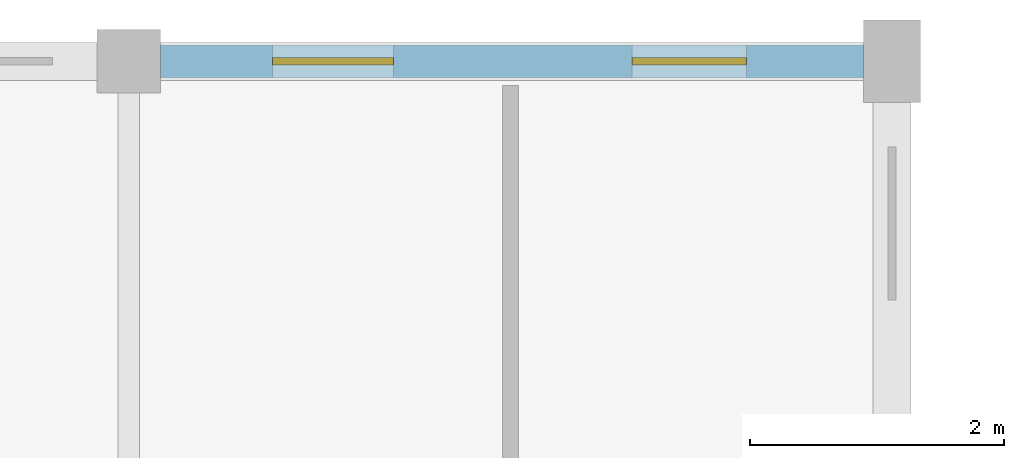
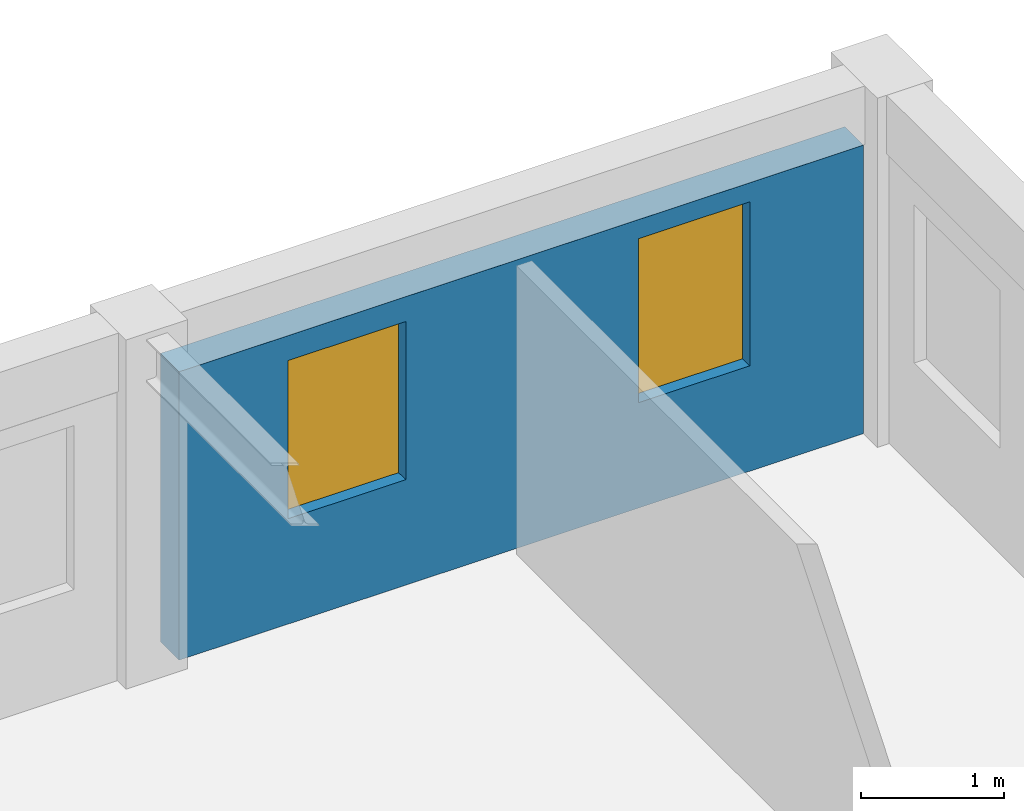
# One storey, part 16 of 23: 2 windows, 1 wall, 2 openings.
"""IFC4 building model written with IfcOpenShell, lengths in metres."""

from ifc_helpers import new_model, si_unit, direction, frame, frame_2d, origin, place, context, subcontext, project, spatial, rectangle, extrude, material, layer, layer_set, type_object, element, fill, save


model = new_model("IFC4")

# Units and contexts
model_context = context("Model", 3, precision=1e-05, world=origin(), true_north=direction((0.0, 1.0)))
body_context = subcontext(model_context, "Body", "Model", "MODEL_VIEW")
ifc_project = project(units=[si_unit("LENGTHUNIT", "METRE"), si_unit("AREAUNIT", "SQUARE_METRE"), si_unit("VOLUMEUNIT", "CUBIC_METRE"), si_unit("PLANEANGLEUNIT", "RADIAN"), si_unit("MASSUNIT", "GRAM", prefix="KILO"), si_unit("POWERUNIT", "WATT"), si_unit("THERMODYNAMICTEMPERATUREUNIT", "KELVIN")], contexts=[model_context])

# Site, building, storey
site_placement = place(None, origin())
site = spatial("IfcSite", under=ifc_project, at=site_placement, CompositionType="ELEMENT")
building_placement = place(site_placement, origin())
building = spatial("IfcBuilding", under=site, at=building_placement, Name="Ruvembo Vaulted Housing Court", CompositionType="ELEMENT")
storey_placement = place(building_placement, frame((0.0, 0.0, 26.89990234375)))
storey = spatial("IfcBuildingStorey", under=building, at=storey_placement, Name="L08", CompositionType="ELEMENT", Elevation=26.89990234375)

# Wall, openings, windows
ifc_material_1 = material(Name="Rendered Masonry 260", Category="masonry")
ifc_layer = layer(ifc_material_1, 0.260009765625, Name="Rendered Masonry 260")
ifc_layer_set = layer_set([ifc_layer], Name="Rendered Masonry 260")
wall_type = type_object("IfcWallType", Name="WL-EXT-260", PredefinedType="STANDARD", material=ifc_layer_set)
wall_placement = place(storey_placement, frame((77.77490234375, 114.0, 0.0), z_axis=(0.0, 0.0, 1.0), x_axis=(-1.0, 0.0, 0.0)))
wall = element("IfcWall", 1, at=wall_placement, inside=storey, type_object=wall_type, Name="Block B L08 Exterior Wall STREET #1", PredefinedType="STANDARD", context=body_context, shape_type="SweptSolid", body=[
    extrude(rectangle(XDim=5.52490234375, YDim=0.260009765625, at=frame_2d((2.762451171875, 0.0))), origin(), (0.0, 0.0, 1.0), 2.462158203125),
])
opening_1_placement = place(wall_placement, frame((0.91748046875, 0.0, 0.89990234375)))
opening_1 = element("IfcOpeningElement", 2, at=opening_1_placement, cuts=wall, Name="Opening W05", PredefinedType="OPENING", context=body_context, shape_type="SweptSolid", body=[
    extrude(rectangle(XDim=0.89990234375, YDim=1.39990234375, at=frame_2d((0.449951171875, 0.699951171875))), frame((0.0, 0.139892578125, 0.0), z_axis=(0.0, -1.0, 0.0), x_axis=(1.0, 0.0, 0.0)), (0.0, 0.0, 1.0), 0.280029296875),
])
opening_2_placement = place(wall_placement, frame((3.695068359375, 0.0, 0.89990234375)))
opening_2 = element("IfcOpeningElement", 3, at=opening_2_placement, cuts=wall, Name="Opening W07", PredefinedType="OPENING", context=body_context, shape_type="SweptSolid", body=[
    extrude(rectangle(XDim=0.949951171875, YDim=1.35009765625, at=frame_2d((0.47509765625, 0.675048828125))), frame((0.0, 0.139892578125, 0.0), z_axis=(0.0, -1.0, 0.0), x_axis=(1.0, 0.0, 0.0)), (0.0, 0.0, 1.0), 0.280029296875),
])
ifc_material_2 = material(Name="Double Solar-Control Glazing in Aluminium Frame", Category="aluminium")
window_type_1 = type_object("IfcWindowType", Name="WIN-0900x1400", PartitioningType="SINGLE_PANEL", PredefinedType="WINDOW", material=ifc_material_2)
window_1_placement = place(opening_1_placement, origin())
window_1 = element("IfcWindow", 4, at=window_1_placement, inside=storey, type_object=window_type_1, Name="Block B L08 Window #966", OverallHeight=1.39990234375, OverallWidth=0.89990234375, PartitioningType="SINGLE_PANEL", PredefinedType="WINDOW", context=body_context, shape_type="SweptSolid", body=[
    extrude(rectangle(XDim=0.89990234375, YDim=1.39990234375, at=frame_2d((0.449951171875, 0.699951171875))), frame((0.0, 0.030029296875, 0.0), z_axis=(0.0, -1.0, 0.0), x_axis=(1.0, 0.0, 0.0)), (0.0, 0.0, 1.0), 0.06005859375),
])
fill(opening_1, window_1)
window_type_2 = type_object("IfcWindowType", Name="WIN-0950x1350", PartitioningType="SINGLE_PANEL", PredefinedType="WINDOW", material=ifc_material_2)
window_2_placement = place(opening_2_placement, origin())
window_2 = element("IfcWindow", 5, at=window_2_placement, inside=storey, type_object=window_type_2, Name="Block B L08 Window #967", OverallHeight=1.35009765625, OverallWidth=0.949951171875, PartitioningType="SINGLE_PANEL", PredefinedType="WINDOW", context=body_context, shape_type="SweptSolid", body=[
    extrude(rectangle(XDim=0.949951171875, YDim=1.35009765625, at=frame_2d((0.47509765625, 0.675048828125))), frame((0.0, 0.030029296875, 0.0), z_axis=(0.0, -1.0, 0.0), x_axis=(1.0, 0.0, 0.0)), (0.0, 0.0, 1.0), 0.06005859375),
])
fill(opening_2, window_2)

save(model, "model.ifc")
